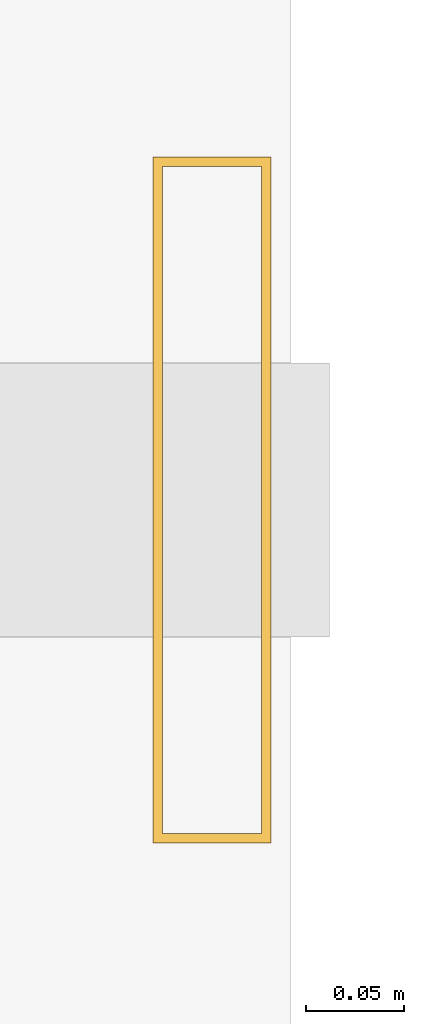
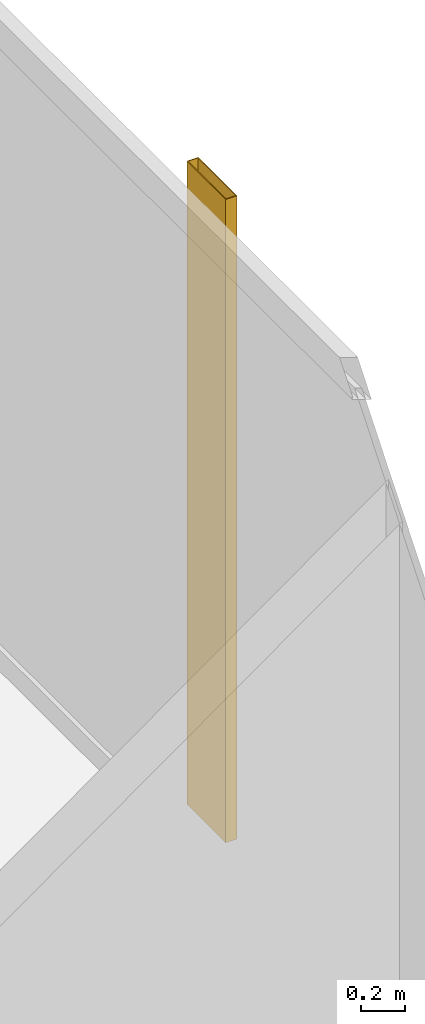
# One storey, part 26 of 26: 1 shading device.
"""IFC4 building model written with IfcOpenShell, lengths in metres."""

from ifc_helpers import new_model, si_unit, direction, frame, origin, origin_2d, place, context, subcontext, project, spatial, hollow_rectangle, extrude, material, material_profile, profile_set, type_object, element, save


model = new_model("IFC4")

# Units and contexts
model_context = context("Model", 3, precision=1e-05, world=origin(), true_north=direction((0.0, 1.0)))
body_context = subcontext(model_context, "Body", "Model", "MODEL_VIEW")
ifc_project = project(units=[si_unit("LENGTHUNIT", "METRE"), si_unit("AREAUNIT", "SQUARE_METRE"), si_unit("VOLUMEUNIT", "CUBIC_METRE"), si_unit("PLANEANGLEUNIT", "RADIAN"), si_unit("MASSUNIT", "GRAM", prefix="KILO")], contexts=[model_context])

# Site, building, storey
site_placement = place(None, origin())
site = spatial("IfcSite", under=ifc_project, at=site_placement, CompositionType="ELEMENT")
building_placement = place(site_placement, origin())
building = spatial("IfcBuilding", under=site, at=building_placement, Name="Kolvaren Waterfront Exchange", CompositionType="ELEMENT")
storey_placement = place(building_placement, frame((0.0, 0.0, 122.10009765625)))
storey = spatial("IfcBuildingStorey", under=building, at=storey_placement, Name="L31", CompositionType="ELEMENT", Elevation=122.10009765625)

# Shading device
ifc_material = material(Name="Anodised bronze aluminium 6063-T6", Category="aluminium")
ifc_material_profile = material_profile(ifc_material, hollow_rectangle(XDim=0.06005859375, YDim=0.35009765625, WallThickness=0.0048828125, at=origin_2d()), Name="BRZ-FIN-350x60x5")
ifc_profile_set = profile_set([ifc_material_profile], Name="Anodised bronze aluminium 6063-T6")
shading_device_type = type_object("IfcShadingDeviceType", Name="ARC-FIN-350", PredefinedType="USERDEFINED", material=ifc_profile_set)
shading_device_placement = place(storey_placement, frame((23.9599609375, 38.800048828125, 0.0), z_axis=(0.0, 0.0, 1.0), x_axis=(1.0, 0.0, 0.0)))
element("IfcShadingDevice", 1, at=shading_device_placement, inside=storey, type_object=shading_device_type, Name="L31 anodised bronze solar shading fin FIN-L31-E3", ObjectType="SOLAR FIN", PredefinedType="USERDEFINED", context=body_context, shape_type="SweptSolid", body=[
    extrude(hollow_rectangle(XDim=0.06005859375, YDim=0.35009765625, WallThickness=0.0048828125, at=origin_2d()), origin(), (0.0, 0.0, 1.0), 3.539794921875),
])

save(model, "model.ifc")
